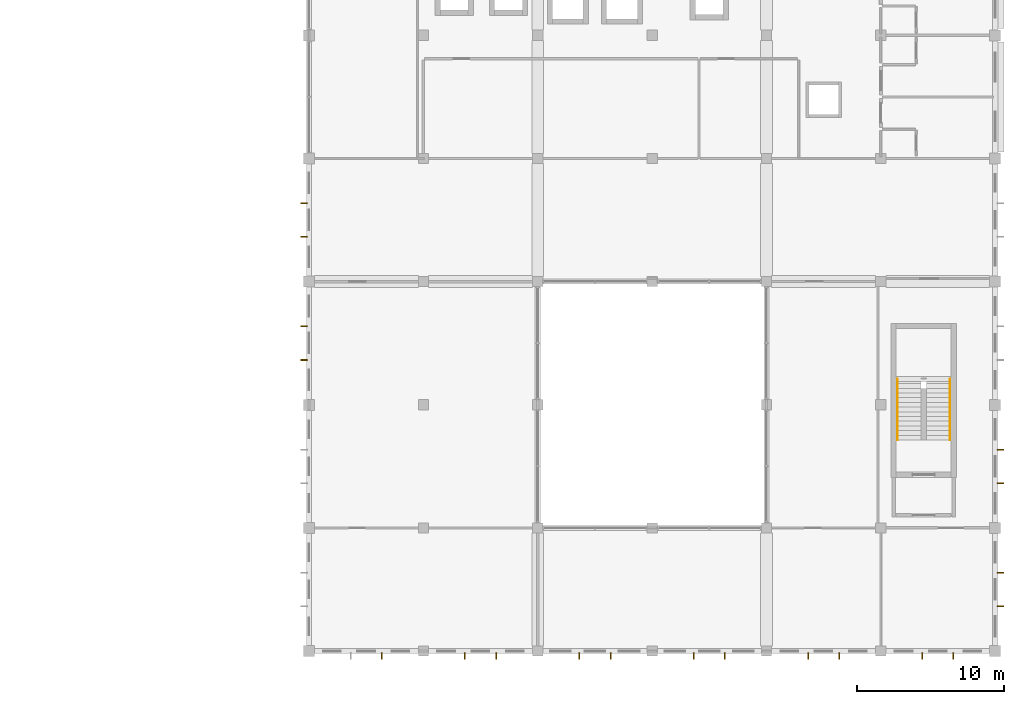
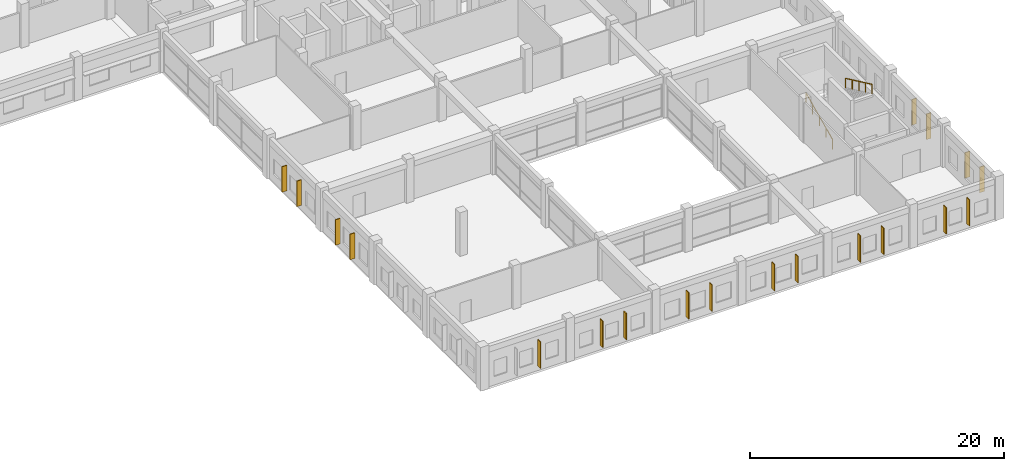
# One storey, part 48 of 53: 19 shading devices, 2 railings.
"""IFC4 building model written with IfcOpenShell, lengths in metres."""

from ifc_helpers import new_model, si_unit, direction, frame, origin, origin_2d, place, context, subcontext, project, spatial, rectangle, circle, extrude, material, layer, layer_set, type_object, element, save


model = new_model("IFC4")

# Units and contexts
model_context = context("Model", 3, precision=1e-05, world=origin(), true_north=direction((0.0, 1.0)))
body_context = subcontext(model_context, "Body", "Model", "MODEL_VIEW")
ifc_project = project(units=[si_unit("LENGTHUNIT", "METRE"), si_unit("AREAUNIT", "SQUARE_METRE"), si_unit("VOLUMEUNIT", "CUBIC_METRE"), si_unit("PLANEANGLEUNIT", "RADIAN"), si_unit("MASSUNIT", "GRAM", prefix="KILO"), si_unit("THERMODYNAMICTEMPERATUREUNIT", "KELVIN"), si_unit("POWERUNIT", "WATT")], contexts=[model_context])

# Site, building, storey
site_placement = place(None, origin())
site = spatial("IfcSite", under=ifc_project, at=site_placement, CompositionType="ELEMENT")
building_placement = place(site_placement, origin())
building = spatial("IfcBuilding", under=site, at=building_placement, Name="Srebrne Nadtorze General Hospital", CompositionType="ELEMENT")
storey_placement = place(building_placement, frame((0.0, 0.0, 18.0)))
storey = spatial("IfcBuildingStorey", under=building, at=storey_placement, Name="L04", CompositionType="ELEMENT", Elevation=18.0)

# Shading devices
ifc_material_1 = material(Name="Anodised Aluminium", Category="aluminium")
ifc_layer = layer(ifc_material_1, 0.070068359375)
ifc_layer_set = layer_set([ifc_layer], Name="Anodised Aluminium")
shading_device_type = type_object("IfcShadingDeviceType", Name="Koushi vertical brise-soleil fin", PredefinedType="SHUTTER", material=ifc_layer_set)
for number, where, z_axis, x_axis, name in (
    (1, (106.373779296875, -0.35009765625, 0.466796875), (0.0, 0.0, 1.0), (1.0, 0.0, 0.0), "Clinic koushi vertical fin LV-249"),
    (2, (112.034912109375, -0.35009765625, 0.466796875), (0.0, 0.0, 1.0), (1.0, 0.0, 0.0), "Clinic koushi vertical fin LV-250"),
    (3, (114.1650390625, -0.35009765625, 0.466796875), (0.0, 0.0, 1.0), (1.0, 0.0, 0.0), "Clinic koushi vertical fin LV-251"),
    (4, (119.8349609375, -0.35009765625, 0.466796875), (0.0, 0.0, 1.0), (1.0, 0.0, 0.0), "Clinic koushi vertical fin LV-252"),
    (5, (121.965087890625, -0.35009765625, 0.466796875), (0.0, 0.0, 1.0), (1.0, 0.0, 0.0), "Clinic koushi vertical fin LV-253"),
    (6, (127.635009765625, -0.35009765625, 0.466796875), (0.0, 0.0, 1.0), (1.0, 0.0, 0.0), "Clinic koushi vertical fin LV-254"),
    (7, (129.764892578125, -0.35009765625, 0.466796875), (0.0, 0.0, 1.0), (1.0, 0.0, 0.0), "Clinic koushi vertical fin LV-255"),
    (8, (135.43505859375, -0.35009765625, 0.466796875), (0.0, 0.0, 1.0), (1.0, 0.0, 0.0), "Clinic koushi vertical fin LV-256"),
    (9, (137.56494140625, -0.35009765625, 0.466796875), (0.0, 0.0, 1.0), (1.0, 0.0, 0.0), "Clinic koushi vertical fin LV-257"),
    (10, (143.226318359375, -0.35009765625, 0.466796875), (0.0, 0.0, 1.0), (1.0, 0.0, 0.0), "Clinic koushi vertical fin LV-258"),
    (11, (145.3486328125, -0.35009765625, 0.466796875), (0.0, 0.0, 1.0), (1.0, 0.0, 0.0), "Clinic koushi vertical fin LV-259"),
):
    element("IfcShadingDevice", number, at=place(storey_placement, frame(where, z_axis=z_axis, x_axis=x_axis)), inside=storey, type_object=shading_device_type, Name=name, PredefinedType="SHUTTER", context=body_context, shape_type="SweptSolid", body=[
        extrude(rectangle(XDim=0.070068359375, YDim=0.43994140625, at=origin_2d()), origin(), (0.0, 0.0, 1.0), 2.53466796875),
    ])
for number, where, z_axis, x_axis, name in (
    (12, (101.050048828125, 19.8525390625, 0.452880859375), (0.0, 0.0, 1.0), (1.0, 0.0, 0.0), "Clinic koushi vertical fin LV-282"),
    (13, (101.050048828125, 22.1474609375, 0.452880859375), (0.0, 0.0, 1.0), (1.0, 0.0, 0.0), "Clinic koushi vertical fin LV-283"),
    (14, (101.050048828125, 28.25244140625, 0.452880859375), (0.0, 0.0, 1.0), (1.0, 0.0, 0.0), "Clinic koushi vertical fin LV-284"),
    (15, (101.050048828125, 30.547607421875, 0.452880859375), (0.0, 0.0, 1.0), (1.0, 0.0, 0.0), "Clinic koushi vertical fin LV-285"),
    (16, (148.550048828125, 3.052490234375, 0.452880859375), (0.0, 0.0, 1.0), (1.0, 0.0, 0.0), "Clinic koushi vertical fin LV-286"),
    (17, (148.550048828125, 5.347412109375, 0.452880859375), (0.0, 0.0, 1.0), (1.0, 0.0, 0.0), "Clinic koushi vertical fin LV-287"),
    (18, (148.550048828125, 11.452392578125, 0.452880859375), (0.0, 0.0, 1.0), (1.0, 0.0, 0.0), "Clinic koushi vertical fin LV-288"),
    (19, (148.550048828125, 13.74755859375, 0.452880859375), (0.0, 0.0, 1.0), (1.0, 0.0, 0.0), "Clinic koushi vertical fin LV-289"),
):
    element("IfcShadingDevice", number, at=place(storey_placement, frame(where, z_axis=z_axis, x_axis=x_axis)), inside=storey, type_object=shading_device_type, Name=name, PredefinedType="SHUTTER", context=body_context, shape_type="SweptSolid", body=[
        extrude(rectangle(XDim=0.43994140625, YDim=0.070068359375, at=origin_2d()), origin(), (0.0, 0.0, 1.0), 2.45849609375),
    ])

# Railings
ifc_material_2 = material(Name="Stainless Steel 316", Category="steel")
railing_type = type_object("IfcRailingType", Name="Tubular stainless handrail 920", PredefinedType="HANDRAIL", material=ifc_material_2)
railing_1_placement = place(storey_placement, frame((141.530029296875, 14.39990234375, 0.14990234375)))
element("IfcRailing", 20, at=railing_1_placement, inside=storey, type_object=railing_type, Name="Stair flight handrail ST-08-L04 F1", PredefinedType="HANDRAIL", context=body_context, shape_type="SweptSolid", body=[
    extrude(circle(Radius=0.02392578125, at=origin_2d()), frame((0.0, 0.0, 0.89599609375), z_axis=(0.0, 0.905448725289, 0.424455658311), x_axis=(-1.0, 0.0, 0.0)), (0.0, 0.0, 1.0), 4.594482421875),
    extrude(circle(Radius=0.02099609375, at=origin_2d()), origin(), (0.0, 0.0, 1.0), 0.871826171875),
    extrude(circle(Radius=0.02099609375, at=origin_2d()), frame((0.0, 1.0400390625, 0.487548828125)), (0.0, 0.0, 1.0), 0.871826171875),
    extrude(circle(Radius=0.02099609375, at=origin_2d()), frame((0.0, 2.080078125, 0.97509765625)), (0.0, 0.0, 1.0), 0.871826171875),
    extrude(circle(Radius=0.02099609375, at=origin_2d()), frame((0.0, 3.1201171875, 1.462646484375)), (0.0, 0.0, 1.0), 0.871826171875),
    extrude(circle(Radius=0.02099609375, at=origin_2d()), frame((0.0, 4.16015625, 1.9501953125)), (0.0, 0.0, 1.0), 0.871826171875),
])
railing_2_placement = place(storey_placement, frame((145.1201171875, 18.56005859375, 2.25)))
element("IfcRailing", 21, at=railing_2_placement, inside=storey, type_object=railing_type, Name="Stair flight handrail ST-08-L04 F2", PredefinedType="HANDRAIL", context=body_context, shape_type="SweptSolid", body=[
    extrude(circle(Radius=0.02392578125, at=origin_2d()), frame((0.0, 0.0, 0.89599609375), z_axis=(0.0, -0.905469146335, 0.424412093414), x_axis=(1.0, 0.0, 0.0)), (0.0, 0.0, 1.0), 4.594482421875),
    extrude(circle(Radius=0.02099609375, at=origin_2d()), origin(), (0.0, 0.0, 1.0), 0.871826171875),
    extrude(circle(Radius=0.02099609375, at=origin_2d()), frame((0.0, -1.0400390625, 0.487548828125)), (0.0, 0.0, 1.0), 0.871826171875),
    extrude(circle(Radius=0.02099609375, at=origin_2d()), frame((0.0, -2.080078125, 0.97509765625)), (0.0, 0.0, 1.0), 0.871826171875),
    extrude(circle(Radius=0.02099609375, at=origin_2d()), frame((0.0, -3.1201171875, 1.46240234375)), (0.0, 0.0, 1.0), 0.871826171875),
    extrude(circle(Radius=0.02099609375, at=origin_2d()), frame((0.0, -4.16015625, 1.949951171875)), (0.0, 0.0, 1.0), 0.871826171875),
])

save(model, "model.ifc")
